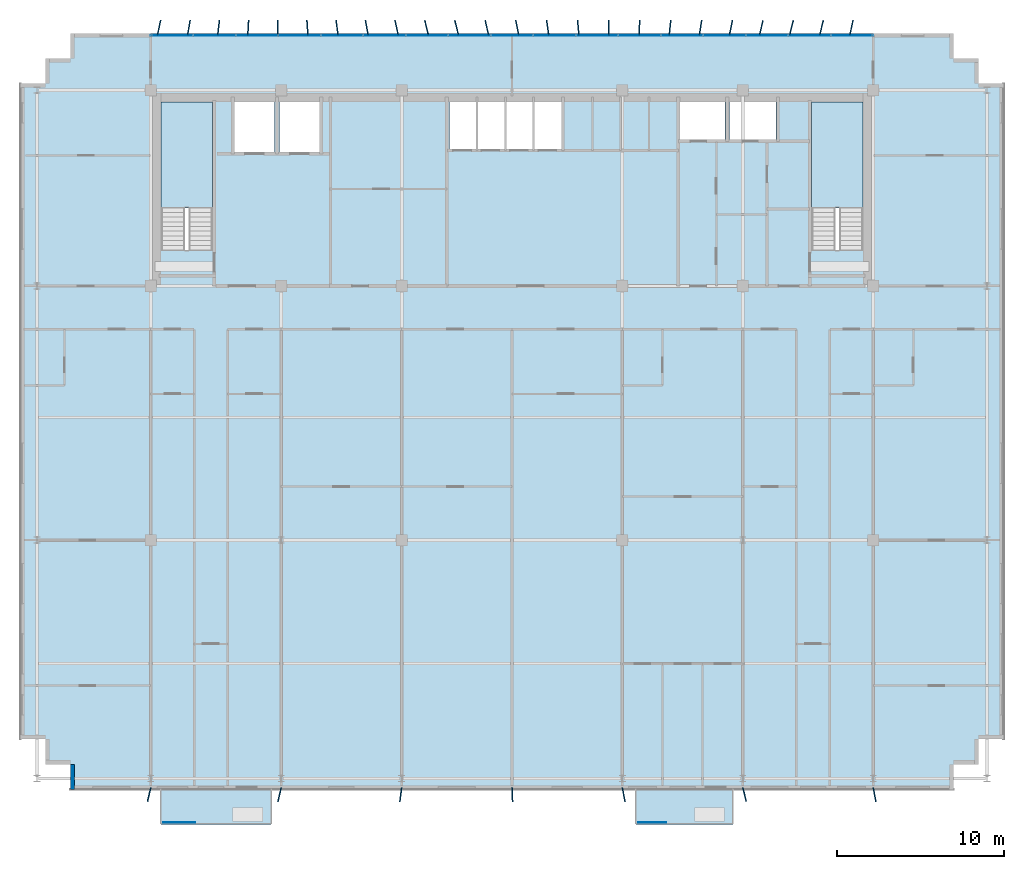
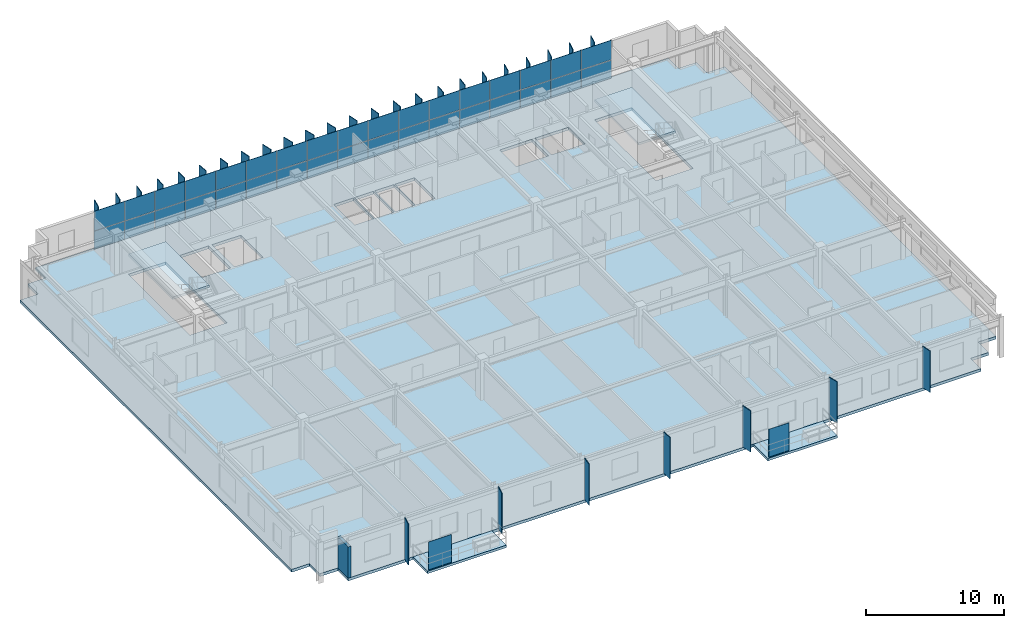
# One storey, part 13 of 20: 67 plates, 5 slabs, 1 wall, 3 elements without a shape of their own.
"""IFC4 building model written with IfcOpenShell, lengths in metres."""

from ifc_helpers import new_model, si_unit, direction, frame, frame_2d, origin, origin_2d, place, context, subcontext, project, spatial, polyline, rectangle, outline, extrude, source, transform, mapped, material, layer, layer_set, type_object, element, aggregate, save


model = new_model("IFC4")

# Units and contexts
model_context = context("Model", 3, precision=1e-05, world=origin(), true_north=direction((0.0, 1.0)))
body_context = subcontext(model_context, "Body", "Model", "MODEL_VIEW")
ifc_project = project(units=[si_unit("LENGTHUNIT", "METRE"), si_unit("AREAUNIT", "SQUARE_METRE"), si_unit("VOLUMEUNIT", "CUBIC_METRE"), si_unit("PLANEANGLEUNIT", "RADIAN"), si_unit("MASSUNIT", "GRAM", prefix="KILO")], contexts=[model_context])

# Site, building, storey
site_placement = place(None, origin())
site = spatial("IfcSite", under=ifc_project, at=site_placement, CompositionType="ELEMENT")
building_placement = place(site_placement, origin())
building = spatial("IfcBuilding", under=site, at=building_placement, Name="Trelvane Seafront Commons", CompositionType="ELEMENT")
storey_placement = place(building_placement, frame((0.0, 0.0, 164.5)))
storey = spatial("IfcBuildingStorey", under=building, at=storey_placement, Name="L43", CompositionType="ELEMENT", Elevation=164.5)

# Slabs
ifc_material_1 = material(Name="Concrete C40/50", Category="concrete")
ifc_layer_1 = layer(ifc_material_1, 0.219970703125, Name="ARCH-BALC-220")
ifc_layer_set_1 = layer_set([ifc_layer_1], Name="Concrete C40/50")
slab_type_1 = type_object("IfcSlabType", Name="ARCH-BALC-220", PredefinedType="FLOOR", material=ifc_layer_set_1)
slab_1_placement = place(storey_placement, frame((0.0, 0.0, -0.219970703125)))
element("IfcSlab", 1, at=slab_1_placement, inside=storey, type_object=slab_type_1, Name="L43 Cantilevered Tree Balcony Loggia 1", PredefinedType="FLOOR", context=body_context, shape_type="SweptSolid", body=[
    extrude(outline(polyline([(16.199951171875, 1.199951171875), (22.800048828125, 1.199951171875), (22.800048828125, 3.300048828125), (16.199951171875, 3.300048828125), (16.199951171875, 1.199951171875)])), origin(), (0.0, 0.0, 1.0), 0.219970703125),
])
slab_2_placement = place(storey_placement, frame((0.0, 0.0, -0.219970703125)))
element("IfcSlab", 2, at=slab_2_placement, inside=storey, type_object=slab_type_1, Name="L43 Cantilevered Tree Balcony Loggia 2", PredefinedType="FLOOR", context=body_context, shape_type="SweptSolid", body=[
    extrude(outline(polyline([(44.60009765625, 1.199951171875), (50.39990234375, 1.199951171875), (50.39990234375, 3.300048828125), (44.60009765625, 3.300048828125), (44.60009765625, 1.199951171875)])), origin(), (0.0, 0.0, 1.0), 0.219970703125),
])

# Stair, slab
stair_type_1 = type_object("IfcStairType", Name="ARCH-STR-ST-1-R20-180", PredefinedType="HALF_TURN_STAIR", material=ifc_material_1)
stair_1_placement = place(storey_placement, origin())
stair_1 = element("IfcStair", 3, at=stair_1_placement, inside=storey, type_object=stair_type_1, Name="L43 West Protected Firefighting Exit Stair ST-1", PredefinedType="HALF_TURN_STAIR")
ifc_layer_2 = layer(ifc_material_1, 0.199951171875, Name="ARCH-LND-200")
ifc_layer_set_2 = layer_set([ifc_layer_2], Name="Concrete C40/50")
slab_type_2 = type_object("IfcSlabType", Name="ARCH-LND-200", PredefinedType="LANDING", material=ifc_layer_set_2)
slab_3_placement = place(storey_placement, frame((0.0, 0.0, 1.60009765625)))
slab_3 = element("IfcSlab", 4, at=slab_3_placement, type_object=slab_type_2, Name="ST-1 landing 1", PredefinedType="LANDING", context=body_context, shape_type="SweptSolid", body=[
    extrude(outline(polyline([(19.300048828125, 38.070068359375), (19.300048828125, 44.39990234375), (16.199951171875, 44.39990234375), (16.199951171875, 38.070068359375), (19.300048828125, 38.070068359375)])), origin(), (0.0, 0.0, 1.0), 0.199951171875),
])
aggregate(stair_1, [slab_3])

stair_type_2 = type_object("IfcStairType", Name="ARCH-STR-ST-2-R20-180", PredefinedType="HALF_TURN_STAIR", material=ifc_material_1)
stair_2_placement = place(storey_placement, origin())
stair_2 = element("IfcStair", 5, at=stair_2_placement, inside=storey, type_object=stair_type_2, Name="L43 East Protected Firefighting Exit Stair ST-2", PredefinedType="HALF_TURN_STAIR")
slab_4_placement = place(storey_placement, frame((0.0, 0.0, 1.60009765625)))
slab_4 = element("IfcSlab", 6, at=slab_4_placement, type_object=slab_type_2, Name="ST-2 landing 1", PredefinedType="LANDING", context=body_context, shape_type="SweptSolid", body=[
    extrude(outline(polyline([(58.199951171875, 38.070068359375), (58.199951171875, 44.39990234375), (55.10009765625, 44.39990234375), (55.10009765625, 38.070068359375), (58.199951171875, 38.070068359375)])), origin(), (0.0, 0.0, 1.0), 0.199951171875),
])
aggregate(stair_2, [slab_4])

# Slab
ifc_material_2 = material(Name="Concrete C50/60", Category="concrete")
ifc_layer_3 = layer(ifc_material_2, 0.25, Name="STR-SLB-Z3-250")
ifc_layer_set_3 = layer_set([ifc_layer_3], Name="Concrete C50/60")
slab_type_3 = type_object("IfcSlabType", Name="STR-SLB-Z3-250", PredefinedType="FLOOR", material=ifc_layer_set_3)
slab_5_placement = place(storey_placement, frame((0.0, 0.0, -0.25)))
element("IfcSlab", 7, at=slab_5_placement, inside=storey, type_object=slab_type_3, Name="L43 Structural Floor Slab", PredefinedType="FLOOR", context=body_context, shape_type="SweptSolid", body=[
    extrude(outline(polyline([(10.800048828125, 3.300048828125), (63.60009765625, 3.300048828125), (63.60009765625, 4.800048828125), (65.10009765625, 4.800048828125), (65.10009765625, 6.300048828125), (66.60009765625, 6.300048828125), (66.60009765625, 45.5), (65.10009765625, 45.5), (65.10009765625, 47.0), (63.60009765625, 47.0), (63.60009765625, 48.5), (10.800048828125, 48.5), (10.800048828125, 47.0), (9.300048828125, 47.0), (9.300048828125, 45.5), (7.800048828125, 45.5), (7.800048828125, 6.300048828125), (9.300048828125, 6.300048828125), (9.300048828125, 4.800048828125), (10.800048828125, 4.800048828125), (10.800048828125, 3.300048828125)]), holes=[polyline([(19.300048828125, 35.550048828125), (16.199951171875, 35.550048828125), (16.199951171875, 44.39990234375), (19.300048828125, 44.39990234375), (19.300048828125, 35.550048828125)]), polyline([(58.199951171875, 35.550048828125), (55.10009765625, 35.550048828125), (55.10009765625, 44.39990234375), (58.199951171875, 44.39990234375), (58.199951171875, 35.550048828125)]), polyline([(23.0, 41.39990234375), (20.60009765625, 41.39990234375), (20.60009765625, 44.60009765625), (23.0, 44.60009765625), (23.0, 41.39990234375)]), polyline([(23.300048828125, 41.39990234375), (23.300048828125, 44.60009765625), (25.699951171875, 44.60009765625), (25.699951171875, 41.39990234375), (23.300048828125, 41.39990234375)]), polyline([(33.449951171875, 41.60009765625), (33.449951171875, 44.60009765625), (35.070068359375, 44.60009765625), (35.070068359375, 41.60009765625), (33.449951171875, 41.60009765625)]), polyline([(36.77001953125, 41.60009765625), (35.14990234375, 41.60009765625), (35.14990234375, 44.60009765625), (36.77001953125, 44.60009765625), (36.77001953125, 41.60009765625)]), polyline([(38.469970703125, 41.60009765625), (36.85009765625, 41.60009765625), (36.85009765625, 44.60009765625), (38.469970703125, 44.60009765625), (38.469970703125, 41.60009765625)]), polyline([(40.169921875, 41.60009765625), (38.550048828125, 41.60009765625), (38.550048828125, 44.60009765625), (40.169921875, 44.60009765625), (40.169921875, 41.60009765625)]), polyline([(47.25, 42.14990234375), (47.25, 44.550048828125), (49.949951171875, 44.550048828125), (49.949951171875, 42.14990234375), (47.25, 42.14990234375)]), polyline([(50.199951171875, 42.14990234375), (50.199951171875, 44.550048828125), (53.0, 44.550048828125), (53.0, 42.14990234375), (50.199951171875, 42.14990234375)])]), origin(), (0.0, 0.0, 1.0), 0.25),
])

# Plates
ifc_material_3 = material(Name="Perforated anodised aluminium screen", Category="aluminium")
ifc_layer_4 = layer(ifc_material_3, 0.01611328125, Name="ARCH-PLATE-SCREEN")
ifc_layer_set_4 = layer_set([ifc_layer_4], Name="Perforated anodised aluminium screen")
plate_type_1 = type_object("IfcPlateType", Name="ARCH-PLATE-SCREEN", PredefinedType="USERDEFINED", material=ifc_layer_set_4)
shared_shape_1 = source(origin(), body_context, "Body", "SweptSolid", [
    extrude(rectangle(XDim=1.9140625, YDim=0.01611328125, at=origin_2d()), origin(), (0.0, 0.0, 1.0), 2.449951171875),
])
plate_1_placement = place(storey_placement, frame((17.306884765625, 1.320068359375, 0.0), z_axis=(0.0, 0.0, 1.0), x_axis=(1.0, 0.0, 0.0)))
element("IfcPlate", 8, at=plate_1_placement, inside=storey, type_object=plate_type_1, Name="SCR-L43-00156", ObjectType="SCREEN", PredefinedType="USERDEFINED", context=body_context, shape_type="MappedRepresentation", body=[
    mapped(shared_shape_1, transform((0.0, 0.0, 0.0), x_axis=(1.0, 0.0, 0.0), y_axis=(0.0, 1.0, 0.0), z_axis=(0.0, 0.0, 1.0), scale=1.0)),
])
shared_shape_2 = source(origin(), body_context, "Body", "SweptSolid", [
    extrude(rectangle(XDim=1.681884765625, YDim=0.01611328125, at=origin_2d()), origin(), (0.0, 0.0, 1.0), 2.449951171875),
])
plate_2_placement = place(storey_placement, frame((45.591064453125, 1.320068359375, 0.0), z_axis=(0.0, 0.0, 1.0), x_axis=(1.0, 0.0, 0.0)))
element("IfcPlate", 9, at=plate_2_placement, inside=storey, type_object=plate_type_1, Name="SCR-L43-00157", ObjectType="SCREEN", PredefinedType="USERDEFINED", context=body_context, shape_type="MappedRepresentation", body=[
    mapped(shared_shape_2, transform((0.0, 0.0, 0.0), x_axis=(1.0, 0.0, 0.0), y_axis=(0.0, 1.0, 0.0), z_axis=(0.0, 0.0, 1.0), scale=1.0)),
])
ifc_material_4 = material(Name="Anodised pale-silver aluminium", Category="aluminium")
ifc_layer_5 = layer(ifc_material_4, 0.06005859375, Name="ARCH-PLATE-FIN900")
ifc_layer_set_5 = layer_set([ifc_layer_5], Name="Anodised pale-silver aluminium")
plate_type_2 = type_object("IfcPlateType", Name="ARCH-PLATE-FIN900", PredefinedType="USERDEFINED", material=ifc_layer_set_5)
shared_shape_3 = source(origin(), body_context, "Body", "SweptSolid", [
    extrude(rectangle(XDim=0.89990234375, YDim=0.06005859375, at=origin_2d()), origin(), (0.0, 0.0, 1.0), 3.639892578125),
])
for number, where, z_axis, x_axis, name in (
    (10, (16.095458984375, 48.839599609375, -0.02001953125), (0.0, 0.0, 1.0), (0.212116270496, 0.97724443605, 0.0), "FIN-L43-01185"),
    (11, (17.8779296875, 48.84326171875, -0.02001953125), (0.0, 0.0, 1.0), (0.173005304365, 0.984920892591, 0.0), "FIN-L43-01186"),
    (12, (19.654296875, 48.8466796875, -0.02001953125), (0.0, 0.0, 1.0), (0.120779641011, 0.99267934315, 0.0), "FIN-L43-01187"),
    (13, (21.4267578125, 48.84912109375, -0.02001953125), (0.0, 0.0, 1.0), (0.059334249668, 0.998238171388, 0.0), "FIN-L43-01188"),
    (14, (23.197021484375, 48.85009765625, -0.02001953125), (0.0, 0.0, 1.0), (-0.006777061608, 0.999977035454, 0.0), "FIN-L43-01189"),
    (15, (24.96728515625, 48.848876953125, -0.02001953125), (0.0, 0.0, 1.0), (-0.072447922691, 0.997372196573, 0.0), "FIN-L43-01190"),
    (16, (26.740478515625, 48.845947265625, -0.02001953125), (0.0, 0.0, 1.0), (-0.132330779776, 0.991205611729, 0.0), "FIN-L43-01191"),
    (17, (28.51806640625, 48.84228515625, -0.02001953125), (0.0, 0.0, 1.0), (-0.182120545308, 0.983276210928, 0.0), "FIN-L43-01192"),
    (18, (30.3017578125, 48.839111328125, -0.02001953125), (0.0, 0.0, 1.0), (-0.218224998842, 0.975898483389, 0.0), "FIN-L43-01193"),
    (19, (32.0927734375, 48.8369140625, -0.02001953125), (0.0, 0.0, 1.0), (-0.238219879573, 0.971211248378, 0.0), "FIN-L43-01194"),
    (20, (33.8916015625, 48.836669921875, -0.02001953125), (0.0, 0.0, 1.0), (-0.240783707201, 0.970578799659, 0.0), "FIN-L43-01195"),
    (21, (35.6982421875, 48.83837890625, -0.02001953125), (0.0, 0.0, 1.0), (-0.22589818019, 0.974150918588, 0.0), "FIN-L43-01196"),
    (22, (37.5126953125, 48.84130859375, -0.02001953125), (0.0, 0.0, 1.0), (-0.194342211698, 0.980933792237, 0.0), "FIN-L43-01197"),
    (23, (39.333251953125, 48.844970703125, -0.02001953125), (0.0, 0.0, 1.0), (-0.148341046509, 0.988936263831, 0.0), "FIN-L43-01198"),
    (24, (41.1591796875, 48.84814453125, -0.02001953125), (0.0, 0.0, 1.0), (-0.090886346594, 0.995861271464, 0.0), "FIN-L43-01199"),
    (25, (42.988037109375, 48.849853515625, -0.02001953125), (0.0, 0.0, 1.0), (-0.026443891241, 0.999650299163, 0.0), "FIN-L43-01200"),
    (26, (44.818115234375, 48.849609375, -0.02001953125), (0.0, 0.0, 1.0), (0.039999254016, 0.999199709607, 0.0), "FIN-L43-01201"),
    (27, (46.646484375, 48.84765625, -0.02001953125), (0.0, 0.0, 1.0), (0.103330707732, 0.994647055412, 0.0), "FIN-L43-01202"),
    (28, (48.471435546875, 48.84423828125, -0.02001953125), (0.0, 0.0, 1.0), (0.158775000009, 0.987314792441, 0.0), "FIN-L43-01203"),
    (29, (50.291015625, 48.8408203125, -0.02001953125), (0.0, 0.0, 1.0), (0.202117293991, 0.979361322225, 0.0), "FIN-L43-01204"),
    (30, (52.103759765625, 48.837890625, -0.02001953125), (0.0, 0.0, 1.0), (0.230333379844, 0.973111778846, 0.0), "FIN-L43-01205"),
    (31, (53.90869140625, 48.836669921875, -0.02001953125), (0.0, 0.0, 1.0), (0.241777946669, 0.970331605434, 0.0), "FIN-L43-01206"),
    (32, (55.7060546875, 48.83740234375, -0.02001953125), (0.0, 0.0, 1.0), (0.235549226534, 0.971862419213, 0.0), "FIN-L43-01207"),
    (33, (57.495361328125, 48.839599609375, -0.02001953125), (0.0, 0.0, 1.0), (0.212116270496, 0.97724443605, 0.0), "FIN-L43-01208"),
):
    element("IfcPlate", number, at=place(storey_placement, frame(where, z_axis=z_axis, x_axis=x_axis)), inside=storey, type_object=plate_type_2, Name=name, ObjectType="FIN", PredefinedType="USERDEFINED", context=body_context, shape_type="MappedRepresentation", body=[
        mapped(shared_shape_3, transform((0.0, 0.0, 0.0), x_axis=(1.0, 0.0, 0.0), y_axis=(0.0, 1.0, 0.0), z_axis=(0.0, 0.0, 1.0), scale=1.0)),
    ])
shared_shape_4 = source(origin(), body_context, "Body", "SweptSolid", [
    extrude(rectangle(XDim=0.85009765625, YDim=0.06005859375, at=origin_2d()), origin(), (0.0, 0.0, 1.0), 3.639892578125),
])
for number, where, z_axis, x_axis, name in (
    (34, (15.50390625, 2.986083984375, -0.02001953125), (0.0, 0.0, 1.0), (-0.226224608607, -0.974075164687, 0.0), "FIN-S-L43-01209"),
    (35, (23.302734375, 2.986328125, -0.02001953125), (0.0, 0.0, 1.0), (-0.228699194713, -0.97349713833, 0.0), "FIN-S-L43-01210"),
    (36, (30.547119140625, 2.978271484375, -0.02001953125), (0.0, 0.0, 1.0), (-0.124353105756, -0.992238028443, 0.0), "FIN-S-L43-01211"),
    (37, (37.217041015625, 2.975341796875, -0.02001953125), (0.0, 0.0, 1.0), (0.040000997949, -0.999199639793, 0.0), "FIN-S-L43-01212"),
    (38, (43.87841796875, 2.982421875, -0.02001953125), (0.0, 0.0, 1.0), (0.184814199162, -0.982773479388, 0.0), "FIN-S-L43-01213"),
    (39, (51.102783203125, 2.987548828125, -0.02001953125), (0.0, 0.0, 1.0), (0.241871090703, -0.970308391947, 0.0), "FIN-S-L43-01214"),
    (40, (58.87939453125, 2.982421875, -0.02001953125), (0.0, 0.0, 1.0), (0.186830958097, -0.982392077073, 0.0), "FIN-S-L43-01215"),
):
    element("IfcPlate", number, at=place(storey_placement, frame(where, z_axis=z_axis, x_axis=x_axis)), inside=storey, type_object=plate_type_2, Name=name, ObjectType="FIN", PredefinedType="USERDEFINED", context=body_context, shape_type="MappedRepresentation", body=[
        mapped(shared_shape_4, transform((0.0, 0.0, 0.0), x_axis=(1.0, 0.0, 0.0), y_axis=(0.0, 1.0, 0.0), z_axis=(0.0, 0.0, 1.0), scale=1.0)),
    ])

# Curtain wall, plates
curtain_wall_type = type_object("IfcCurtainWallType", Name="ARCH-CW5-UPTOWER", PredefinedType="NOTDEFINED", material=ifc_material_4)
curtain_wall_placement = place(storey_placement, origin())
curtain_wall = element("IfcCurtainWall", 41, at=curtain_wall_placement, inside=storey, type_object=curtain_wall_type, Name="CW-L43-0070", PredefinedType="NOTDEFINED")
ifc_material_5 = material(Name="Low-E coastal double glazing", Category="glass")
ifc_layer_6 = layer(ifc_material_5, 0.033935546875, Name="ARCH-CW-GLAZ-34")
ifc_layer_set_6 = layer_set([ifc_layer_6], Name="Low-E coastal double glazing")
plate_type_3 = type_object("IfcPlateType", Name="ARCH-CW-GLAZ-34", PredefinedType="CURTAIN_PANEL", material=ifc_layer_set_6)
shared_shape_5 = source(origin(), body_context, "Body", "SweptSolid", [
    extrude(rectangle(XDim=2.51708984375, YDim=0.033935546875, at=origin_2d()), origin(), (0.0, 0.0, 1.0), 1.590087890625),
])
plate_3_placement = place(storey_placement, frame((16.87060546875, 48.3701171875, 0.0), z_axis=(0.0, 0.0, 1.0), x_axis=(1.0, 0.0, 0.0)))
plate_3 = element("IfcPlate", 42, at=plate_3_placement, type_object=plate_type_3, Name="CW-L43-0070-P00-1", PredefinedType="CURTAIN_PANEL", context=body_context, shape_type="MappedRepresentation", body=[
    mapped(shared_shape_5, transform((0.0, 0.0, 0.0), x_axis=(1.0, 0.0, 0.0), y_axis=(0.0, 1.0, 0.0), z_axis=(0.0, 0.0, 1.0), scale=1.0)),
])
plate_4_placement = place(storey_placement, frame((19.411865234375, 48.3701171875, 0.0), z_axis=(0.0, 0.0, 1.0), x_axis=(1.0, 0.0, 0.0)))
plate_4 = element("IfcPlate", 43, at=plate_4_placement, type_object=plate_type_3, Name="CW-L43-0070-P01-1", PredefinedType="CURTAIN_PANEL", context=body_context, shape_type="MappedRepresentation", body=[
    mapped(shared_shape_5, transform((0.0, 0.0, 0.0), x_axis=(1.0, 0.0, 0.0), y_axis=(0.0, 1.0, 0.0), z_axis=(0.0, 0.0, 1.0), scale=1.0)),
])
plate_5_placement = place(storey_placement, frame((21.952880859375, 48.3701171875, 0.0), z_axis=(0.0, 0.0, 1.0), x_axis=(1.0, 0.0, 0.0)))
plate_5 = element("IfcPlate", 44, at=plate_5_placement, type_object=plate_type_3, Name="CW-L43-0070-P02-1", PredefinedType="CURTAIN_PANEL", context=body_context, shape_type="MappedRepresentation", body=[
    mapped(shared_shape_5, transform((0.0, 0.0, 0.0), x_axis=(1.0, 0.0, 0.0), y_axis=(0.0, 1.0, 0.0), z_axis=(0.0, 0.0, 1.0), scale=1.0)),
])
plate_6_placement = place(storey_placement, frame((24.494140625, 48.3701171875, 0.0), z_axis=(0.0, 0.0, 1.0), x_axis=(1.0, 0.0, 0.0)))
plate_6 = element("IfcPlate", 45, at=plate_6_placement, type_object=plate_type_3, Name="CW-L43-0070-P03-1", PredefinedType="CURTAIN_PANEL", context=body_context, shape_type="MappedRepresentation", body=[
    mapped(shared_shape_5, transform((0.0, 0.0, 0.0), x_axis=(1.0, 0.0, 0.0), y_axis=(0.0, 1.0, 0.0), z_axis=(0.0, 0.0, 1.0), scale=1.0)),
])
plate_7_placement = place(storey_placement, frame((27.035400390625, 48.3701171875, 0.0), z_axis=(0.0, 0.0, 1.0), x_axis=(1.0, 0.0, 0.0)))
plate_7 = element("IfcPlate", 46, at=plate_7_placement, type_object=plate_type_3, Name="CW-L43-0070-P04-1", PredefinedType="CURTAIN_PANEL", context=body_context, shape_type="MappedRepresentation", body=[
    mapped(shared_shape_5, transform((0.0, 0.0, 0.0), x_axis=(1.0, 0.0, 0.0), y_axis=(0.0, 1.0, 0.0), z_axis=(0.0, 0.0, 1.0), scale=1.0)),
])
plate_8_placement = place(storey_placement, frame((29.576416015625, 48.3701171875, 0.0), z_axis=(0.0, 0.0, 1.0), x_axis=(1.0, 0.0, 0.0)))
plate_8 = element("IfcPlate", 47, at=plate_8_placement, type_object=plate_type_3, Name="CW-L43-0070-P05-1", PredefinedType="CURTAIN_PANEL", context=body_context, shape_type="MappedRepresentation", body=[
    mapped(shared_shape_5, transform((0.0, 0.0, 0.0), x_axis=(1.0, 0.0, 0.0), y_axis=(0.0, 1.0, 0.0), z_axis=(0.0, 0.0, 1.0), scale=1.0)),
])
plate_9_placement = place(storey_placement, frame((32.11767578125, 48.3701171875, 0.0), z_axis=(0.0, 0.0, 1.0), x_axis=(1.0, 0.0, 0.0)))
plate_9 = element("IfcPlate", 48, at=plate_9_placement, type_object=plate_type_3, Name="CW-L43-0070-P06-1", PredefinedType="CURTAIN_PANEL", context=body_context, shape_type="MappedRepresentation", body=[
    mapped(shared_shape_5, transform((0.0, 0.0, 0.0), x_axis=(1.0, 0.0, 0.0), y_axis=(0.0, 1.0, 0.0), z_axis=(0.0, 0.0, 1.0), scale=1.0)),
])
plate_10_placement = place(storey_placement, frame((34.65869140625, 48.3701171875, 0.0), z_axis=(0.0, 0.0, 1.0), x_axis=(1.0, 0.0, 0.0)))
plate_10 = element("IfcPlate", 49, at=plate_10_placement, type_object=plate_type_3, Name="CW-L43-0070-P07-1", PredefinedType="CURTAIN_PANEL", context=body_context, shape_type="MappedRepresentation", body=[
    mapped(shared_shape_5, transform((0.0, 0.0, 0.0), x_axis=(1.0, 0.0, 0.0), y_axis=(0.0, 1.0, 0.0), z_axis=(0.0, 0.0, 1.0), scale=1.0)),
])
plate_11_placement = place(storey_placement, frame((37.199951171875, 48.3701171875, 0.0), z_axis=(0.0, 0.0, 1.0), x_axis=(1.0, 0.0, 0.0)))
plate_11 = element("IfcPlate", 50, at=plate_11_placement, type_object=plate_type_3, Name="CW-L43-0070-P08-1", PredefinedType="CURTAIN_PANEL", context=body_context, shape_type="MappedRepresentation", body=[
    mapped(shared_shape_5, transform((0.0, 0.0, 0.0), x_axis=(1.0, 0.0, 0.0), y_axis=(0.0, 1.0, 0.0), z_axis=(0.0, 0.0, 1.0), scale=1.0)),
])
plate_12_placement = place(storey_placement, frame((39.7412109375, 48.3701171875, 0.0), z_axis=(0.0, 0.0, 1.0), x_axis=(1.0, 0.0, 0.0)))
plate_12 = element("IfcPlate", 51, at=plate_12_placement, type_object=plate_type_3, Name="CW-L43-0070-P09-1", PredefinedType="CURTAIN_PANEL", context=body_context, shape_type="MappedRepresentation", body=[
    mapped(shared_shape_5, transform((0.0, 0.0, 0.0), x_axis=(1.0, 0.0, 0.0), y_axis=(0.0, 1.0, 0.0), z_axis=(0.0, 0.0, 1.0), scale=1.0)),
])
plate_13_placement = place(storey_placement, frame((42.282470703125, 48.3701171875, 0.0), z_axis=(0.0, 0.0, 1.0), x_axis=(1.0, 0.0, 0.0)))
plate_13 = element("IfcPlate", 52, at=plate_13_placement, type_object=plate_type_3, Name="CW-L43-0070-P10-1", PredefinedType="CURTAIN_PANEL", context=body_context, shape_type="MappedRepresentation", body=[
    mapped(shared_shape_5, transform((0.0, 0.0, 0.0), x_axis=(1.0, 0.0, 0.0), y_axis=(0.0, 1.0, 0.0), z_axis=(0.0, 0.0, 1.0), scale=1.0)),
])
plate_14_placement = place(storey_placement, frame((44.823486328125, 48.3701171875, 0.0), z_axis=(0.0, 0.0, 1.0), x_axis=(1.0, 0.0, 0.0)))
plate_14 = element("IfcPlate", 53, at=plate_14_placement, type_object=plate_type_3, Name="CW-L43-0070-P11-1", PredefinedType="CURTAIN_PANEL", context=body_context, shape_type="MappedRepresentation", body=[
    mapped(shared_shape_5, transform((0.0, 0.0, 0.0), x_axis=(1.0, 0.0, 0.0), y_axis=(0.0, 1.0, 0.0), z_axis=(0.0, 0.0, 1.0), scale=1.0)),
])
plate_15_placement = place(storey_placement, frame((47.36474609375, 48.3701171875, 0.0), z_axis=(0.0, 0.0, 1.0), x_axis=(1.0, 0.0, 0.0)))
plate_15 = element("IfcPlate", 54, at=plate_15_placement, type_object=plate_type_3, Name="CW-L43-0070-P12-1", PredefinedType="CURTAIN_PANEL", context=body_context, shape_type="MappedRepresentation", body=[
    mapped(shared_shape_5, transform((0.0, 0.0, 0.0), x_axis=(1.0, 0.0, 0.0), y_axis=(0.0, 1.0, 0.0), z_axis=(0.0, 0.0, 1.0), scale=1.0)),
])
plate_16_placement = place(storey_placement, frame((49.906005859375, 48.3701171875, 0.0), z_axis=(0.0, 0.0, 1.0), x_axis=(1.0, 0.0, 0.0)))
plate_16 = element("IfcPlate", 55, at=plate_16_placement, type_object=plate_type_3, Name="CW-L43-0070-P13-1", PredefinedType="CURTAIN_PANEL", context=body_context, shape_type="MappedRepresentation", body=[
    mapped(shared_shape_5, transform((0.0, 0.0, 0.0), x_axis=(1.0, 0.0, 0.0), y_axis=(0.0, 1.0, 0.0), z_axis=(0.0, 0.0, 1.0), scale=1.0)),
])
plate_17_placement = place(storey_placement, frame((52.447021484375, 48.3701171875, 0.0), z_axis=(0.0, 0.0, 1.0), x_axis=(1.0, 0.0, 0.0)))
plate_17 = element("IfcPlate", 56, at=plate_17_placement, type_object=plate_type_3, Name="CW-L43-0070-P14-1", PredefinedType="CURTAIN_PANEL", context=body_context, shape_type="MappedRepresentation", body=[
    mapped(shared_shape_5, transform((0.0, 0.0, 0.0), x_axis=(1.0, 0.0, 0.0), y_axis=(0.0, 1.0, 0.0), z_axis=(0.0, 0.0, 1.0), scale=1.0)),
])
plate_18_placement = place(storey_placement, frame((54.98828125, 48.3701171875, 0.0), z_axis=(0.0, 0.0, 1.0), x_axis=(1.0, 0.0, 0.0)))
plate_18 = element("IfcPlate", 57, at=plate_18_placement, type_object=plate_type_3, Name="CW-L43-0070-P15-1", PredefinedType="CURTAIN_PANEL", context=body_context, shape_type="MappedRepresentation", body=[
    mapped(shared_shape_5, transform((0.0, 0.0, 0.0), x_axis=(1.0, 0.0, 0.0), y_axis=(0.0, 1.0, 0.0), z_axis=(0.0, 0.0, 1.0), scale=1.0)),
])
plate_19_placement = place(storey_placement, frame((57.529296875, 48.3701171875, 0.0), z_axis=(0.0, 0.0, 1.0), x_axis=(1.0, 0.0, 0.0)))
plate_19 = element("IfcPlate", 58, at=plate_19_placement, type_object=plate_type_3, Name="CW-L43-0070-P16-1", PredefinedType="CURTAIN_PANEL", context=body_context, shape_type="MappedRepresentation", body=[
    mapped(shared_shape_5, transform((0.0, 0.0, 0.0), x_axis=(1.0, 0.0, 0.0), y_axis=(0.0, 1.0, 0.0), z_axis=(0.0, 0.0, 1.0), scale=1.0)),
])
shared_shape_6 = source(origin(), body_context, "Body", "SweptSolid", [
    extrude(rectangle(XDim=2.51708984375, YDim=0.033935546875, at=origin_2d()), origin(), (0.0, 0.0, 1.0), 1.72412109375),
])
plate_20_placement = place(storey_placement, frame((16.87060546875, 48.3701171875, 1.6259765625), z_axis=(0.0, 0.0, 1.0), x_axis=(1.0, 0.0, 0.0)))
plate_20 = element("IfcPlate", 59, at=plate_20_placement, type_object=plate_type_3, Name="CW-L43-0070-P00-2", PredefinedType="CURTAIN_PANEL", context=body_context, shape_type="MappedRepresentation", body=[
    mapped(shared_shape_6, transform((0.0, 0.0, 0.0), x_axis=(1.0, 0.0, 0.0), y_axis=(0.0, 1.0, 0.0), z_axis=(0.0, 0.0, 1.0), scale=1.0)),
])
plate_21_placement = place(storey_placement, frame((19.411865234375, 48.3701171875, 1.6259765625), z_axis=(0.0, 0.0, 1.0), x_axis=(1.0, 0.0, 0.0)))
plate_21 = element("IfcPlate", 60, at=plate_21_placement, type_object=plate_type_3, Name="CW-L43-0070-P01-2", PredefinedType="CURTAIN_PANEL", context=body_context, shape_type="MappedRepresentation", body=[
    mapped(shared_shape_6, transform((0.0, 0.0, 0.0), x_axis=(1.0, 0.0, 0.0), y_axis=(0.0, 1.0, 0.0), z_axis=(0.0, 0.0, 1.0), scale=1.0)),
])
plate_22_placement = place(storey_placement, frame((21.952880859375, 48.3701171875, 1.6259765625), z_axis=(0.0, 0.0, 1.0), x_axis=(1.0, 0.0, 0.0)))
plate_22 = element("IfcPlate", 61, at=plate_22_placement, type_object=plate_type_3, Name="CW-L43-0070-P02-2", PredefinedType="CURTAIN_PANEL", context=body_context, shape_type="MappedRepresentation", body=[
    mapped(shared_shape_6, transform((0.0, 0.0, 0.0), x_axis=(1.0, 0.0, 0.0), y_axis=(0.0, 1.0, 0.0), z_axis=(0.0, 0.0, 1.0), scale=1.0)),
])
plate_23_placement = place(storey_placement, frame((24.494140625, 48.3701171875, 1.6259765625), z_axis=(0.0, 0.0, 1.0), x_axis=(1.0, 0.0, 0.0)))
plate_23 = element("IfcPlate", 62, at=plate_23_placement, type_object=plate_type_3, Name="CW-L43-0070-P03-2", PredefinedType="CURTAIN_PANEL", context=body_context, shape_type="MappedRepresentation", body=[
    mapped(shared_shape_6, transform((0.0, 0.0, 0.0), x_axis=(1.0, 0.0, 0.0), y_axis=(0.0, 1.0, 0.0), z_axis=(0.0, 0.0, 1.0), scale=1.0)),
])
plate_24_placement = place(storey_placement, frame((27.035400390625, 48.3701171875, 1.6259765625), z_axis=(0.0, 0.0, 1.0), x_axis=(1.0, 0.0, 0.0)))
plate_24 = element("IfcPlate", 63, at=plate_24_placement, type_object=plate_type_3, Name="CW-L43-0070-P04-2", PredefinedType="CURTAIN_PANEL", context=body_context, shape_type="MappedRepresentation", body=[
    mapped(shared_shape_6, transform((0.0, 0.0, 0.0), x_axis=(1.0, 0.0, 0.0), y_axis=(0.0, 1.0, 0.0), z_axis=(0.0, 0.0, 1.0), scale=1.0)),
])
plate_25_placement = place(storey_placement, frame((29.576416015625, 48.3701171875, 1.6259765625), z_axis=(0.0, 0.0, 1.0), x_axis=(1.0, 0.0, 0.0)))
plate_25 = element("IfcPlate", 64, at=plate_25_placement, type_object=plate_type_3, Name="CW-L43-0070-P05-2", PredefinedType="CURTAIN_PANEL", context=body_context, shape_type="MappedRepresentation", body=[
    mapped(shared_shape_6, transform((0.0, 0.0, 0.0), x_axis=(1.0, 0.0, 0.0), y_axis=(0.0, 1.0, 0.0), z_axis=(0.0, 0.0, 1.0), scale=1.0)),
])
plate_26_placement = place(storey_placement, frame((32.11767578125, 48.3701171875, 1.6259765625), z_axis=(0.0, 0.0, 1.0), x_axis=(1.0, 0.0, 0.0)))
plate_26 = element("IfcPlate", 65, at=plate_26_placement, type_object=plate_type_3, Name="CW-L43-0070-P06-2", PredefinedType="CURTAIN_PANEL", context=body_context, shape_type="MappedRepresentation", body=[
    mapped(shared_shape_6, transform((0.0, 0.0, 0.0), x_axis=(1.0, 0.0, 0.0), y_axis=(0.0, 1.0, 0.0), z_axis=(0.0, 0.0, 1.0), scale=1.0)),
])
plate_27_placement = place(storey_placement, frame((34.65869140625, 48.3701171875, 1.6259765625), z_axis=(0.0, 0.0, 1.0), x_axis=(1.0, 0.0, 0.0)))
plate_27 = element("IfcPlate", 66, at=plate_27_placement, type_object=plate_type_3, Name="CW-L43-0070-P07-2", PredefinedType="CURTAIN_PANEL", context=body_context, shape_type="MappedRepresentation", body=[
    mapped(shared_shape_6, transform((0.0, 0.0, 0.0), x_axis=(1.0, 0.0, 0.0), y_axis=(0.0, 1.0, 0.0), z_axis=(0.0, 0.0, 1.0), scale=1.0)),
])
plate_28_placement = place(storey_placement, frame((37.199951171875, 48.3701171875, 1.6259765625), z_axis=(0.0, 0.0, 1.0), x_axis=(1.0, 0.0, 0.0)))
plate_28 = element("IfcPlate", 67, at=plate_28_placement, type_object=plate_type_3, Name="CW-L43-0070-P08-2", PredefinedType="CURTAIN_PANEL", context=body_context, shape_type="MappedRepresentation", body=[
    mapped(shared_shape_6, transform((0.0, 0.0, 0.0), x_axis=(1.0, 0.0, 0.0), y_axis=(0.0, 1.0, 0.0), z_axis=(0.0, 0.0, 1.0), scale=1.0)),
])
plate_29_placement = place(storey_placement, frame((39.7412109375, 48.3701171875, 1.6259765625), z_axis=(0.0, 0.0, 1.0), x_axis=(1.0, 0.0, 0.0)))
plate_29 = element("IfcPlate", 68, at=plate_29_placement, type_object=plate_type_3, Name="CW-L43-0070-P09-2", PredefinedType="CURTAIN_PANEL", context=body_context, shape_type="MappedRepresentation", body=[
    mapped(shared_shape_6, transform((0.0, 0.0, 0.0), x_axis=(1.0, 0.0, 0.0), y_axis=(0.0, 1.0, 0.0), z_axis=(0.0, 0.0, 1.0), scale=1.0)),
])
plate_30_placement = place(storey_placement, frame((42.282470703125, 48.3701171875, 1.6259765625), z_axis=(0.0, 0.0, 1.0), x_axis=(1.0, 0.0, 0.0)))
plate_30 = element("IfcPlate", 69, at=plate_30_placement, type_object=plate_type_3, Name="CW-L43-0070-P10-2", PredefinedType="CURTAIN_PANEL", context=body_context, shape_type="MappedRepresentation", body=[
    mapped(shared_shape_6, transform((0.0, 0.0, 0.0), x_axis=(1.0, 0.0, 0.0), y_axis=(0.0, 1.0, 0.0), z_axis=(0.0, 0.0, 1.0), scale=1.0)),
])
plate_31_placement = place(storey_placement, frame((44.823486328125, 48.3701171875, 1.6259765625), z_axis=(0.0, 0.0, 1.0), x_axis=(1.0, 0.0, 0.0)))
plate_31 = element("IfcPlate", 70, at=plate_31_placement, type_object=plate_type_3, Name="CW-L43-0070-P11-2", PredefinedType="CURTAIN_PANEL", context=body_context, shape_type="MappedRepresentation", body=[
    mapped(shared_shape_6, transform((0.0, 0.0, 0.0), x_axis=(1.0, 0.0, 0.0), y_axis=(0.0, 1.0, 0.0), z_axis=(0.0, 0.0, 1.0), scale=1.0)),
])
plate_32_placement = place(storey_placement, frame((47.36474609375, 48.3701171875, 1.6259765625), z_axis=(0.0, 0.0, 1.0), x_axis=(1.0, 0.0, 0.0)))
plate_32 = element("IfcPlate", 71, at=plate_32_placement, type_object=plate_type_3, Name="CW-L43-0070-P12-2", PredefinedType="CURTAIN_PANEL", context=body_context, shape_type="MappedRepresentation", body=[
    mapped(shared_shape_6, transform((0.0, 0.0, 0.0), x_axis=(1.0, 0.0, 0.0), y_axis=(0.0, 1.0, 0.0), z_axis=(0.0, 0.0, 1.0), scale=1.0)),
])
plate_33_placement = place(storey_placement, frame((49.906005859375, 48.3701171875, 1.6259765625), z_axis=(0.0, 0.0, 1.0), x_axis=(1.0, 0.0, 0.0)))
plate_33 = element("IfcPlate", 72, at=plate_33_placement, type_object=plate_type_3, Name="CW-L43-0070-P13-2", PredefinedType="CURTAIN_PANEL", context=body_context, shape_type="MappedRepresentation", body=[
    mapped(shared_shape_6, transform((0.0, 0.0, 0.0), x_axis=(1.0, 0.0, 0.0), y_axis=(0.0, 1.0, 0.0), z_axis=(0.0, 0.0, 1.0), scale=1.0)),
])
plate_34_placement = place(storey_placement, frame((52.447021484375, 48.3701171875, 1.6259765625), z_axis=(0.0, 0.0, 1.0), x_axis=(1.0, 0.0, 0.0)))
plate_34 = element("IfcPlate", 73, at=plate_34_placement, type_object=plate_type_3, Name="CW-L43-0070-P14-2", PredefinedType="CURTAIN_PANEL", context=body_context, shape_type="MappedRepresentation", body=[
    mapped(shared_shape_6, transform((0.0, 0.0, 0.0), x_axis=(1.0, 0.0, 0.0), y_axis=(0.0, 1.0, 0.0), z_axis=(0.0, 0.0, 1.0), scale=1.0)),
])
plate_35_placement = place(storey_placement, frame((54.98828125, 48.3701171875, 1.6259765625), z_axis=(0.0, 0.0, 1.0), x_axis=(1.0, 0.0, 0.0)))
plate_35 = element("IfcPlate", 74, at=plate_35_placement, type_object=plate_type_3, Name="CW-L43-0070-P15-2", PredefinedType="CURTAIN_PANEL", context=body_context, shape_type="MappedRepresentation", body=[
    mapped(shared_shape_6, transform((0.0, 0.0, 0.0), x_axis=(1.0, 0.0, 0.0), y_axis=(0.0, 1.0, 0.0), z_axis=(0.0, 0.0, 1.0), scale=1.0)),
])
plate_36_placement = place(storey_placement, frame((57.529296875, 48.3701171875, 1.6259765625), z_axis=(0.0, 0.0, 1.0), x_axis=(1.0, 0.0, 0.0)))
plate_36 = element("IfcPlate", 75, at=plate_36_placement, type_object=plate_type_3, Name="CW-L43-0070-P16-2", PredefinedType="CURTAIN_PANEL", context=body_context, shape_type="MappedRepresentation", body=[
    mapped(shared_shape_6, transform((0.0, 0.0, 0.0), x_axis=(1.0, 0.0, 0.0), y_axis=(0.0, 1.0, 0.0), z_axis=(0.0, 0.0, 1.0), scale=1.0)),
])
aggregate(curtain_wall, [plate_3, plate_20, plate_4, plate_21, plate_5, plate_22, plate_6, plate_23, plate_7, plate_24, plate_8, plate_25, plate_9, plate_26, plate_10, plate_27, plate_11, plate_28, plate_12, plate_29, plate_13, plate_30, plate_14, plate_31, plate_15, plate_32, plate_16, plate_33, plate_17, plate_34, plate_18, plate_35, plate_19, plate_36])

# Wall
ifc_material_6 = material(Name="Precast concrete C40/50", Category="concrete")
ifc_layer_7 = layer(ifc_material_6, 0.239990234375, Name="ARCH-WALL-EXT240")
ifc_layer_set_7 = layer_set([ifc_layer_7], Name="Precast concrete C40/50")
wall_type = type_object("IfcWallType", Name="ARCH-WALL-EXT240", PredefinedType="SOLIDWALL", material=ifc_layer_set_7)
wall_placement = place(storey_placement, frame((10.919921875, 3.300048828125, 0.0), z_axis=(0.0, 0.0, 1.0), x_axis=(0.0, 1.0, 0.0)))
element("IfcWall", 76, at=wall_placement, inside=storey, type_object=wall_type, Name="EW-L43-00862", PredefinedType="SOLIDWALL", context=body_context, shape_type="SweptSolid", body=[
    extrude(rectangle(XDim=1.5, YDim=0.239990234375, at=frame_2d((0.75, 0.0))), origin(), (0.0, 0.0, 1.0), 2.75),
])

save(model, "model.ifc")
